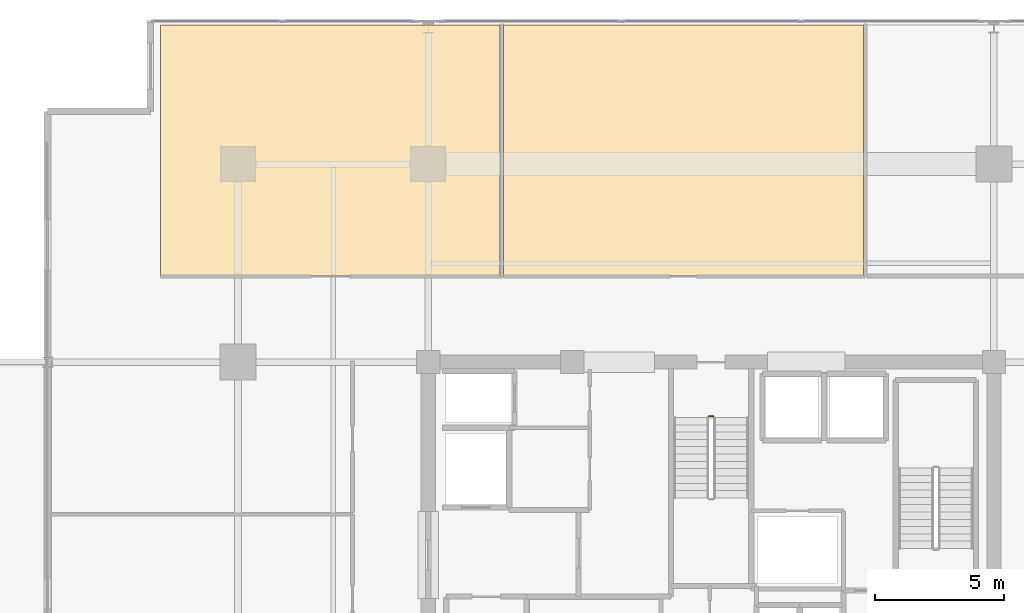
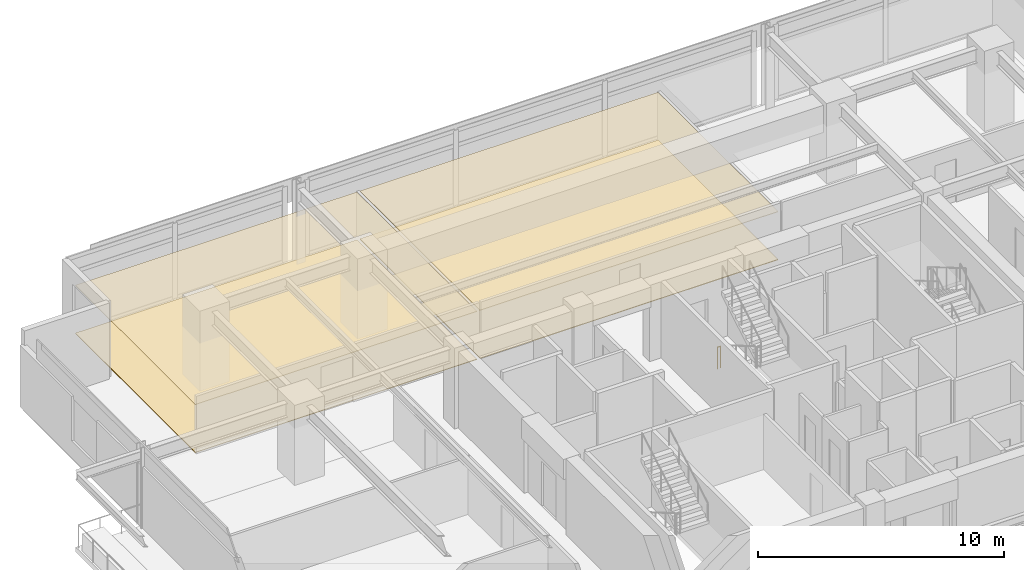
# One storey, part 21 of 22: 4 coverings, 1 railing.
"""IFC4 building model written with IfcOpenShell, lengths in metres."""

from ifc_helpers import new_model, si_unit, direction, frame, origin, origin_2d, place, context, subcontext, project, spatial, polyline, circle, outline, extrude, material, layer, layer_set, type_object, element, save


model = new_model("IFC4")

# Units and contexts
model_context = context("Model", 3, precision=1e-05, world=origin(), true_north=direction((0.0, 1.0)))
body_context = subcontext(model_context, "Body", "Model", "MODEL_VIEW")
ifc_project = project(units=[si_unit("LENGTHUNIT", "METRE"), si_unit("AREAUNIT", "SQUARE_METRE"), si_unit("VOLUMEUNIT", "CUBIC_METRE"), si_unit("PLANEANGLEUNIT", "RADIAN"), si_unit("MASSUNIT", "GRAM", prefix="KILO")], contexts=[model_context])

# Site, building, storey
site_placement = place(None, origin())
site = spatial("IfcSite", under=ifc_project, at=site_placement, CompositionType="ELEMENT")
building_placement = place(site_placement, origin())
building = spatial("IfcBuilding", under=site, at=building_placement, Name="Kovane Verandah Tower", CompositionType="ELEMENT")
storey_placement = place(building_placement, frame((0.0, 0.0, 225.199951171875)))
storey = spatial("IfcBuildingStorey", under=building, at=storey_placement, Name="L52", CompositionType="ELEMENT", Elevation=225.199951171875)

# Coverings
ifc_material_1 = material(Name="Perforated Acoustic Mineral-Fibre Ceiling Tile", Category="gypsum")
ifc_layer_1 = layer(ifc_material_1, 0.02490234375)
ifc_layer_set_1 = layer_set([ifc_layer_1], Name="Perforated Acoustic Mineral-Fibre Ceiling Tile")
covering_type_1 = type_object("IfcCoveringType", Name="CV-CEIL-25", PredefinedType="CEILING", material=ifc_layer_set_1)
covering_1_placement = place(storey_placement, frame((0.0, 0.0, 2.380126953125)))
element("IfcCovering", 1, at=covering_1_placement, inside=storey, type_object=covering_type_1, Name="L52 Client Boardroom N1 Acoustic Ceiling", PredefinedType="CEILING", context=body_context, shape_type="SweptSolid", body=[
    extrude(outline(polyline([(18.59033203125, 39.85009765625), (31.794189453125, 39.85009765625), (31.794189453125, 49.606201171875), (18.59033203125, 49.606201171875), (18.59033203125, 39.85009765625)])), origin(), (0.0, 0.0, 1.0), 0.02490234375),
])
covering_2_placement = place(storey_placement, frame((0.0, 0.0, 2.380126953125)))
element("IfcCovering", 2, at=covering_2_placement, inside=storey, type_object=covering_type_1, Name="L52 Meeting Room N2 Acoustic Ceiling", PredefinedType="CEILING", context=body_context, shape_type="SweptSolid", body=[
    extrude(outline(polyline([(31.934326171875, 39.85009765625), (45.9248046875, 39.85009765625), (45.9248046875, 49.606201171875), (31.934326171875, 49.606201171875), (31.934326171875, 39.85009765625)])), origin(), (0.0, 0.0, 1.0), 0.02490234375),
])
ifc_material_2 = material(Name="Polished Terrazzo and Raised-Access Carpet Tile Finish", Category="concrete")
ifc_layer_2 = layer(ifc_material_2, 0.030029296875)
ifc_layer_set_2 = layer_set([ifc_layer_2], Name="Polished Terrazzo and Raised-Access Carpet Tile Finish")
covering_type_2 = type_object("IfcCoveringType", Name="CV-FLOR-30", PredefinedType="FLOORING", material=ifc_layer_set_2)
covering_3_placement = place(storey_placement, origin())
element("IfcCovering", 3, at=covering_3_placement, inside=storey, type_object=covering_type_2, Name="L52 Client Boardroom N1 Floor Finish", PredefinedType="FLOORING", context=body_context, shape_type="SweptSolid", body=[
    extrude(outline(polyline([(18.59033203125, 39.85009765625), (31.794189453125, 39.85009765625), (31.794189453125, 49.606201171875), (18.59033203125, 49.606201171875), (18.59033203125, 39.85009765625)])), origin(), (0.0, 0.0, 1.0), 0.030029296875),
])
covering_4_placement = place(storey_placement, origin())
element("IfcCovering", 4, at=covering_4_placement, inside=storey, type_object=covering_type_2, Name="L52 Meeting Room N2 Floor Finish", PredefinedType="FLOORING", context=body_context, shape_type="SweptSolid", body=[
    extrude(outline(polyline([(31.934326171875, 39.85009765625), (45.9248046875, 39.85009765625), (45.9248046875, 49.606201171875), (31.934326171875, 49.606201171875), (31.934326171875, 39.85009765625)])), origin(), (0.0, 0.0, 1.0), 0.030029296875),
])

# Railing
ifc_material_3 = material(Name="Painted Steel Stairwell Guardrail", Category="steel")
railing_type = type_object("IfcRailingType", Name="RL-STGUARD-1120", PredefinedType="GUARDRAIL", material=ifc_material_3)
railing_placement = place(storey_placement, frame((39.919921875, 34.39990234375, 0.0)))
element("IfcRailing", 5, at=railing_placement, inside=storey, type_object=railing_type, Name="L52 ST-03 stair guard 4", PredefinedType="GUARDRAIL", context=body_context, shape_type="SweptSolid", body=[
    extrude(circle(Radius=0.02392578125, at=origin_2d()), frame((0.0, 0.0, 1.076171875), z_axis=(1.0, 0.0, 0.0), x_axis=(0.0, 1.0, 0.0)), (0.0, 0.0, 1.0), 0.16015625),
    extrude(circle(Radius=0.02099609375, at=origin_2d()), origin(), (0.0, 0.0, 1.0), 1.052001953125),
    extrude(circle(Radius=0.02099609375, at=origin_2d()), frame((0.16015625, 0.0, 0.0)), (0.0, 0.0, 1.0), 1.052001953125),
])

save(model, "model.ifc")
